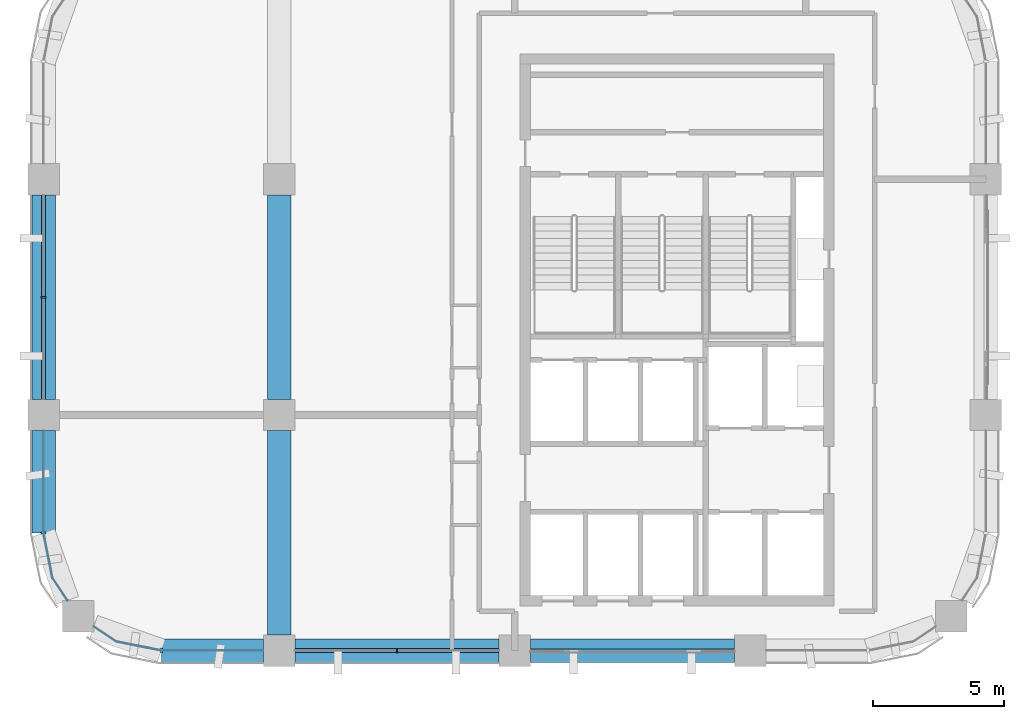
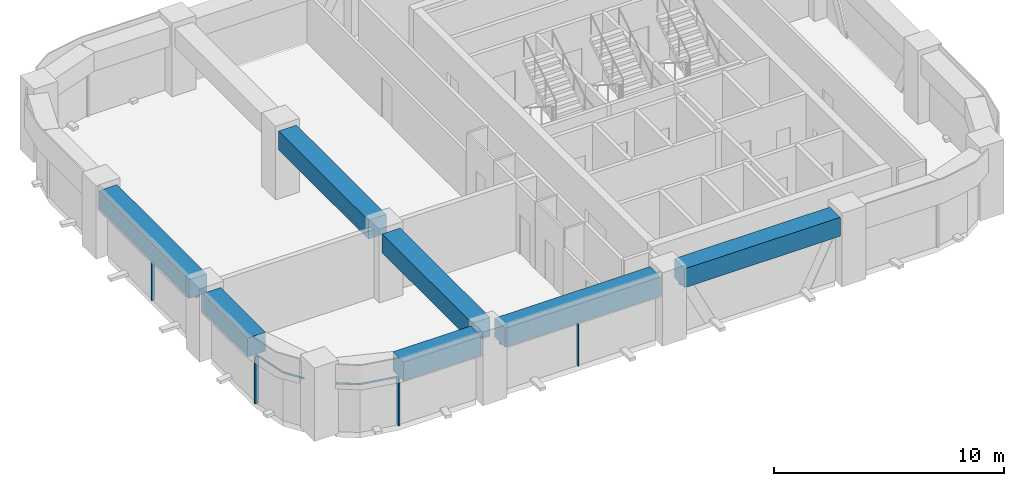
# One storey, part 2 of 9: 9 members, 7 beams, 5 elements without a shape of their own.
"""IFC4 building model written with IfcOpenShell, lengths in metres."""

from ifc_helpers import new_model, si_unit, direction, frame, origin, origin_2d, place, context, subcontext, project, spatial, polyline, rectangle, outline, extrude, material, material_profile, profile_set, type_object, element, aggregate, save


model = new_model("IFC4")

# Units and contexts
model_context = context("Model", 3, precision=1e-05, world=origin(), true_north=direction((0.0, 1.0)))
body_context = subcontext(model_context, "Body", "Model", "MODEL_VIEW")
ifc_project = project(units=[si_unit("LENGTHUNIT", "METRE"), si_unit("AREAUNIT", "SQUARE_METRE"), si_unit("VOLUMEUNIT", "CUBIC_METRE"), si_unit("PLANEANGLEUNIT", "RADIAN"), si_unit("MASSUNIT", "GRAM", prefix="KILO")], contexts=[model_context])

# Site, building, storey
site_placement = place(None, origin())
site = spatial("IfcSite", under=ifc_project, at=site_placement, CompositionType="ELEMENT")
building_placement = place(site_placement, origin())
building = spatial("IfcBuilding", under=site, at=building_placement, Name="Tessera Arch", CompositionType="ELEMENT")
storey_placement = place(building_placement, frame((0.0, 0.0, 277.39990234375)))
storey = spatial("IfcBuildingStorey", under=building, at=storey_placement, Name="L67", CompositionType="ELEMENT", Elevation=277.39990234375)

# Curtain wall, member
ifc_material_1 = material(Name="CW1 curtain wall")
curtain_wall_type_1 = type_object("IfcCurtainWallType", Name="CW1 curtain wall", PredefinedType="NOTDEFINED", material=ifc_material_1)
curtain_wall_1_placement = place(storey_placement, origin())
curtain_wall_1 = element("IfcCurtainWall", 1, at=curtain_wall_1_placement, inside=storey, type_object=curtain_wall_type_1, Name="CW1 curtain wall W18.27/1 L67", PredefinedType="NOTDEFINED")
ifc_material_2 = material(Name="Anodised aluminium pale metal", Category="aluminium")
ifc_material_profile_1 = material_profile(ifc_material_2, rectangle(XDim=0.159912109375, YDim=0.06005859375, at=origin_2d()), Name="AL 60x160")
ifc_profile_set_1 = profile_set([ifc_material_profile_1], Name="Anodised aluminium pale metal")
member_type_1 = type_object("IfcMemberType", Name="CW1 mullion", PredefinedType="MULLION", material=ifc_profile_set_1)
member_1_placement = place(storey_placement, frame((18.0, 40.5, 0.0), z_axis=(0.0, 0.0, 1.0), x_axis=(1.0, 0.0, 0.0)))
member_1 = element("IfcMember", 2, at=member_1_placement, type_object=member_type_1, Name="CW1 mullion W18.27/1 1", PredefinedType="MULLION", context=body_context, shape_type="SweptSolid", body=[
    extrude(rectangle(XDim=0.159912109375, YDim=0.06005859375, at=origin_2d()), origin(), (0.0, 0.0, 1.0), 2.5),
])

curtain_wall_2_placement = place(storey_placement, origin())
curtain_wall_2 = element("IfcCurtainWall", 3, at=curtain_wall_2_placement, inside=storey, type_object=curtain_wall_type_1, Name="CW1 curtain wall S27.18/1 L67", PredefinedType="NOTDEFINED")
member_2_placement = place(storey_placement, frame((31.5, 27.0, 0.0), z_axis=(0.0, 0.0, 1.0), x_axis=(0.0, 1.0, 0.0)))
member_2 = element("IfcMember", 4, at=member_2_placement, type_object=member_type_1, Name="CW1 mullion S27.18/1 1", PredefinedType="MULLION", context=body_context, shape_type="SweptSolid", body=[
    extrude(rectangle(XDim=0.159912109375, YDim=0.06005859375, at=origin_2d()), origin(), (0.0, 0.0, 1.0), 2.5),
])

# Member
ifc_material_3 = material(Name="Anodised aluminium pale metal", Category="aluminium")
ifc_material_profile_2 = material_profile(ifc_material_3, rectangle(XDim=0.159912109375, YDim=0.10009765625, at=origin_2d()), Name="AL 160x100")
ifc_profile_set_2 = profile_set([ifc_material_profile_2], Name="Anodised aluminium pale metal")
member_type_2 = type_object("IfcMemberType", Name="CW1 transom", PredefinedType="USERDEFINED", material=ifc_profile_set_2)
member_3_placement = place(storey_placement, frame((18.0, 44.39990234375, 2.550048828125), z_axis=(0.0, -1.0, 0.0), x_axis=(1.0, 0.0, 0.0)))
member_3 = element("IfcMember", 5, at=member_3_placement, type_object=member_type_2, Name="CW1 transom W18.27/1 1.1", ObjectType="TRANSOM", PredefinedType="USERDEFINED", context=body_context, shape_type="SweptSolid", body=[
    extrude(rectangle(XDim=0.159912109375, YDim=0.10009765625, at=origin_2d()), origin(), (0.0, 0.0, 1.0), 7.7998046875),
])

aggregate(curtain_wall_1, [member_1, member_3])

member_4_placement = place(storey_placement, frame((27.60009765625, 27.0, 2.550048828125), z_axis=(1.0, 0.0, 0.0), x_axis=(0.0, 1.0, 0.0)))
member_4 = element("IfcMember", 6, at=member_4_placement, type_object=member_type_2, Name="CW1 transom S27.18/1 1.1", ObjectType="TRANSOM", PredefinedType="USERDEFINED", context=body_context, shape_type="SweptSolid", body=[
    extrude(rectangle(XDim=0.159912109375, YDim=0.10009765625, at=origin_2d()), origin(), (0.0, 0.0, 1.0), 7.7998046875),
])

aggregate(curtain_wall_2, [member_2, member_4])

# Curtain wall, member
ifc_material_4 = material(Name="CW2 curtain wall")
curtain_wall_type_2 = type_object("IfcCurtainWallType", Name="CW2 curtain wall", PredefinedType="NOTDEFINED", material=ifc_material_4)
curtain_wall_3_placement = place(storey_placement, origin())
curtain_wall_3 = element("IfcCurtainWall", 7, at=curtain_wall_3_placement, inside=storey, type_object=curtain_wall_type_2, Name="CW2 curtain wall W18.27/2 L67", PredefinedType="NOTDEFINED")
ifc_material_5 = material(Name="Anodised aluminium pale metal", Category="aluminium")
ifc_material_profile_3 = material_profile(ifc_material_5, rectangle(XDim=0.199951171875, YDim=0.080078125, at=origin_2d()), Name="AL 80x200")
ifc_profile_set_3 = profile_set([ifc_material_profile_3], Name="Anodised aluminium pale metal")
member_type_3 = type_object("IfcMemberType", Name="CW2 mullion", PredefinedType="MULLION", material=ifc_profile_set_3)
member_5_placement = place(storey_placement, frame((18.0, 31.5, 0.0), z_axis=(0.0, 0.0, 1.0), x_axis=(1.0, 0.0, 0.0)))
member_5 = element("IfcMember", 8, at=member_5_placement, type_object=member_type_3, Name="CW2 mullion W18.27/2 1", PredefinedType="MULLION", context=body_context, shape_type="SweptSolid", body=[
    extrude(rectangle(XDim=0.199951171875, YDim=0.080078125, at=origin_2d()), origin(), (0.0, 0.0, 1.0), 2.5),
])

curtain_wall_4_placement = place(storey_placement, origin())
curtain_wall_4 = element("IfcCurtainWall", 9, at=curtain_wall_4_placement, inside=storey, type_object=curtain_wall_type_2, Name="CW2 curtain wall S27.18/0 L67", PredefinedType="NOTDEFINED")
member_6_placement = place(storey_placement, frame((22.5, 27.0, 0.0), z_axis=(0.0, 0.0, 1.0), x_axis=(0.0, 1.0, 0.0)))
member_6 = element("IfcMember", 10, at=member_6_placement, type_object=member_type_3, Name="CW2 mullion S27.18/0 1", PredefinedType="MULLION", context=body_context, shape_type="SweptSolid", body=[
    extrude(rectangle(XDim=0.199951171875, YDim=0.080078125, at=origin_2d()), origin(), (0.0, 0.0, 1.0), 2.5),
])

# Member
ifc_material_6 = material(Name="Anodised aluminium pale metal", Category="aluminium")
ifc_material_profile_4 = material_profile(ifc_material_6, rectangle(XDim=0.199951171875, YDim=0.10009765625, at=origin_2d()), Name="AL 200x100")
ifc_profile_set_4 = profile_set([ifc_material_profile_4], Name="Anodised aluminium pale metal")
member_type_4 = type_object("IfcMemberType", Name="CW2 transom", PredefinedType="USERDEFINED", material=ifc_profile_set_4)
member_7_placement = place(storey_placement, frame((0.0, 0.0, 2.5)))
member_7 = element("IfcMember", 11, at=member_7_placement, type_object=member_type_4, Name="CW2 transom W18.27/2 1", ObjectType="TRANSOM", PredefinedType="USERDEFINED", context=body_context, shape_type="SweptSolid", body=[
    extrude(outline(polyline([(18.010009765625, 31.5009765625), (18.010009765625, 35.39990234375), (17.989990234375, 35.39990234375), (17.989990234375, 31.4990234375), (18.3330078125, 29.77392578125), (18.90869140625, 28.912353515625), (18.92529296875, 28.923583984375), (18.351806640625, 29.78173828125), (18.010009765625, 31.5009765625)])), origin(), (0.0, 0.0, 1.0), 0.10009765625),
])

aggregate(curtain_wall_3, [member_5, member_7])

member_8_placement = place(storey_placement, frame((0.0, 0.0, 2.5)))
member_8 = element("IfcMember", 12, at=member_8_placement, type_object=member_type_4, Name="CW2 transom S27.18/0 1", ObjectType="TRANSOM", PredefinedType="USERDEFINED", context=body_context, shape_type="SweptSolid", body=[
    extrude(outline(polyline([(20.78173828125, 27.351806640625), (19.923583984375, 27.92529296875), (19.912353515625, 27.90869140625), (20.77392578125, 27.3330078125), (22.4990234375, 26.989990234375), (26.39990234375, 26.989990234375), (26.39990234375, 27.010009765625), (22.5009765625, 27.010009765625), (20.78173828125, 27.351806640625)])), origin(), (0.0, 0.0, 1.0), 0.10009765625),
])

aggregate(curtain_wall_4, [member_6, member_8])

# Curtain wall, member
ifc_material_7 = material(Name="CW3 curtain wall")
curtain_wall_type_3 = type_object("IfcCurtainWallType", Name="CW3 curtain wall", PredefinedType="NOTDEFINED", material=ifc_material_7)
curtain_wall_5_placement = place(storey_placement, origin())
curtain_wall_5 = element("IfcCurtainWall", 13, at=curtain_wall_5_placement, inside=storey, type_object=curtain_wall_type_3, Name="CW3 curtain wall S27.18/2 L67", PredefinedType="NOTDEFINED")
ifc_material_8 = material(Name="Anodised aluminium pale metal", Category="aluminium")
ifc_material_profile_5 = material_profile(ifc_material_8, rectangle(XDim=0.139892578125, YDim=0.10009765625, at=origin_2d()), Name="AL 140x100")
ifc_profile_set_5 = profile_set([ifc_material_profile_5], Name="Anodised aluminium pale metal")
member_type_5 = type_object("IfcMemberType", Name="CW3 transom", PredefinedType="USERDEFINED", material=ifc_profile_set_5)
member_9_placement = place(storey_placement, frame((36.60009765625, 27.0, 2.550048828125), z_axis=(1.0, 0.0, 0.0), x_axis=(0.0, 1.0, 0.0)))
member_9 = element("IfcMember", 14, at=member_9_placement, type_object=member_type_5, Name="CW3 transom S27.18/2 1.1", ObjectType="TRANSOM", PredefinedType="USERDEFINED", context=body_context, shape_type="SweptSolid", body=[
    extrude(rectangle(XDim=0.139892578125, YDim=0.10009765625, at=origin_2d()), origin(), (0.0, 0.0, 1.0), 7.7998046875),
])
aggregate(curtain_wall_5, [member_9])

# Beams
ifc_material_9 = material(Name="Concrete C60/75", Category="concrete")
ifc_material_profile_6 = material_profile(ifc_material_9, rectangle(XDim=0.89990234375, YDim=1.0, at=origin_2d()), Name="RC spandrel beam 900 x 1000 Concrete C60/75")
ifc_profile_set_6 = profile_set([ifc_material_profile_6], Name="Concrete C60/75")
beam_type = type_object("IfcBeamType", Name="RC spandrel beam 900 x 1000 Concrete C60/75", PredefinedType="BEAM", material=ifc_profile_set_6)
beam_placement = place(storey_placement, frame((18.0, 44.39990234375, 3.10009765625), z_axis=(0.0, -1.0, 0.0), x_axis=(1.0, 0.0, 0.0)))
element("IfcBeam", 15, at=beam_placement, inside=storey, type_object=beam_type, Name="Spandrel beam L67 W18.27/1", PredefinedType="BEAM", context=body_context, shape_type="SweptSolid", body=[
    extrude(rectangle(XDim=0.89990234375, YDim=1.0, at=origin_2d()), origin(), (0.0, 0.0, 1.0), 7.7998046875),
])
for number, where, z_axis, x_axis, name in (
    (16, (18.0, 35.39990234375, 3.10009765625), (0.0, -1.0, 0.0), (1.0, 0.0, 0.0), "Spandrel beam L67 W18.27/2.1"),
    (17, (22.5, 27.0, 3.10009765625), (1.0, 0.0, 0.0), (0.0, 1.0, 0.0), "Spandrel beam L67 S27.18/0.2"),
):
    element("IfcBeam", number, at=place(storey_placement, frame(where, z_axis=z_axis, x_axis=x_axis)), inside=storey, type_object=beam_type, Name=name, PredefinedType="BEAM", context=body_context, shape_type="SweptSolid", body=[
        extrude(rectangle(XDim=0.89990234375, YDim=1.0, at=origin_2d()), origin(), (0.0, 0.0, 1.0), 3.89990234375),
    ])
for number, where, z_axis, x_axis, name in (
    (18, (27.60009765625, 27.0, 3.10009765625), (1.0, 0.0, 0.0), (0.0, 1.0, 0.0), "Spandrel beam L67 S27.18/1"),
    (19, (36.60009765625, 27.0, 3.10009765625), (1.0, 0.0, 0.0), (0.0, 1.0, 0.0), "Spandrel beam L67 S27.18/2"),
    (20, (27.0, 27.60009765625, 3.10009765625), (0.0, 1.0, 0.0), (-1.0, 0.0, 0.0), "Interface beam L67 I0C4D-C4E"),
    (21, (27.0, 36.60009765625, 3.10009765625), (0.0, 1.0, 0.0), (-1.0, 0.0, 0.0), "Interface beam L67 I0C4E-C4F"),
):
    element("IfcBeam", number, at=place(storey_placement, frame(where, z_axis=z_axis, x_axis=x_axis)), inside=storey, type_object=beam_type, Name=name, PredefinedType="BEAM", context=body_context, shape_type="SweptSolid", body=[
        extrude(rectangle(XDim=0.89990234375, YDim=1.0, at=origin_2d()), origin(), (0.0, 0.0, 1.0), 7.7998046875),
    ])

save(model, "model.ifc")
